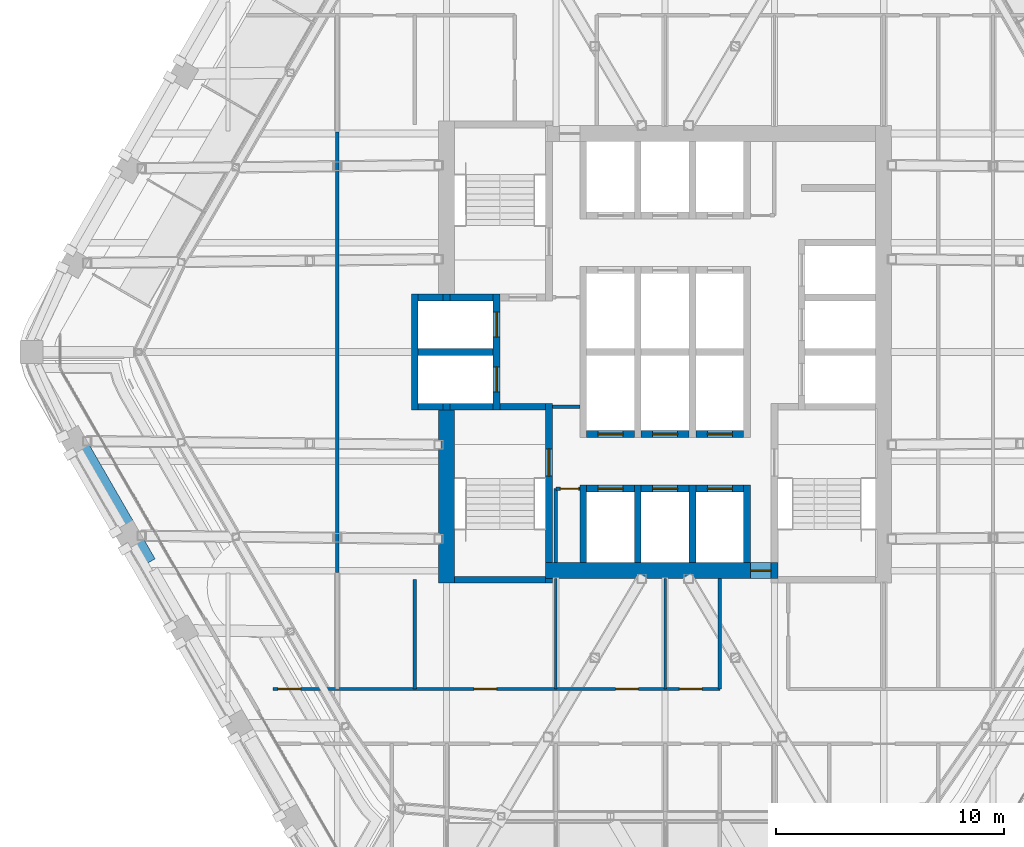
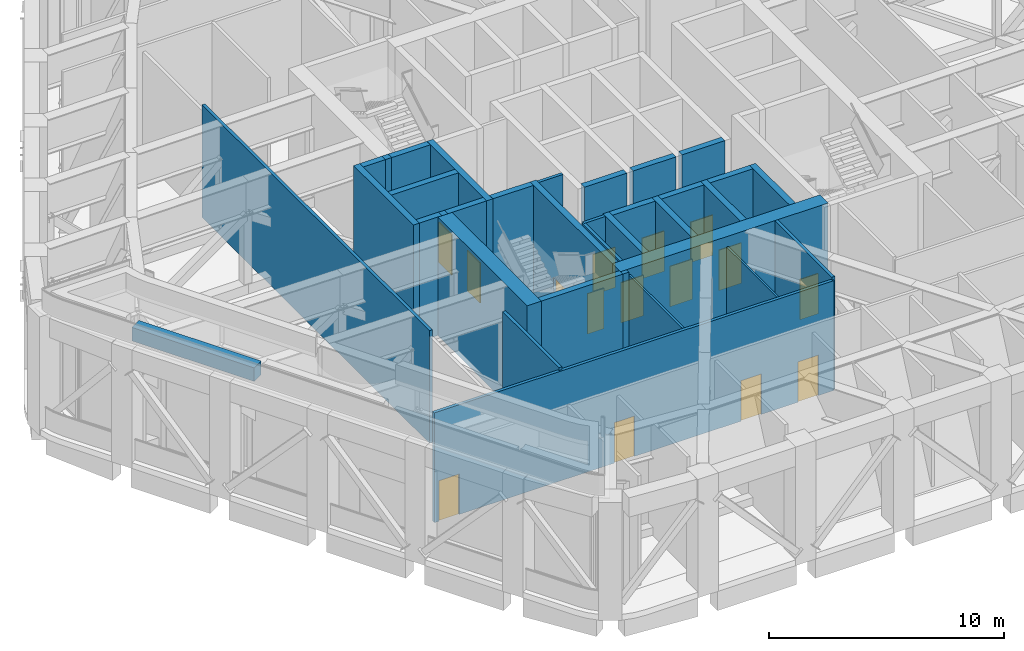
# One storey, part 14 of 24: 35 walls, 15 doors, 15 openings.
"""IFC4 building model written with IfcOpenShell, lengths in metres."""

from ifc_helpers import new_model, si_unit, direction, frame, frame_2d, origin, place, context, subcontext, project, spatial, rectangle, extrude, material, layer, layer_set, type_object, element, fill, save


model = new_model("IFC4")

# Units and contexts
model_context = context("Model", 3, precision=1e-05, world=origin(), true_north=direction((0.0, 1.0)))
body_context = subcontext(model_context, "Body", "Model", "MODEL_VIEW")
ifc_project = project(units=[si_unit("LENGTHUNIT", "METRE"), si_unit("AREAUNIT", "SQUARE_METRE"), si_unit("VOLUMEUNIT", "CUBIC_METRE"), si_unit("PLANEANGLEUNIT", "RADIAN"), si_unit("MASSUNIT", "GRAM", prefix="KILO")], contexts=[model_context])

# Site, building, storey
site_placement = place(None, origin())
site = spatial("IfcSite", under=ifc_project, at=site_placement, CompositionType="ELEMENT")
building_placement = place(site_placement, origin())
building = spatial("IfcBuilding", under=site, at=building_placement, Name="Kolab Exchange Tower", CompositionType="ELEMENT")
storey_placement = place(building_placement, frame((0.0, 0.0, 216.800048828125)))
storey = spatial("IfcBuildingStorey", under=building, at=storey_placement, Name="L47", CompositionType="ELEMENT", Elevation=216.800048828125)

# Wall, opening, door
ifc_material_1 = material(Name="Concrete C60/75", Category="concrete")
ifc_layer_1 = layer(ifc_material_1, 0.699951171875)
ifc_layer_set_1 = layer_set([ifc_layer_1], Name="Concrete C60/75")
wall_type_1 = type_object("IfcWallType", Name="CORE WALL 700 C60/75", PredefinedType="SHEAR", material=ifc_layer_set_1)
wall_1_placement = place(storey_placement, frame((-5.25, -9.60009765625, -0.300048828125), z_axis=(0.0, 0.0, 1.0), x_axis=(1.0, 0.0, 0.0)))
wall_1 = element("IfcWall", 1, at=wall_1_placement, inside=storey, type_object=wall_type_1, Name="wall/L47/core/002", PredefinedType="SHEAR", context=body_context, shape_type="SweptSolid", body=[
    extrude(rectangle(XDim=10.199951171875, YDim=0.699951171875, at=frame_2d((5.10009765625, 0.0))), origin(), (0.0, 0.0, 1.0), 6.14990234375),
])
opening_1_placement = place(wall_1_placement, frame((9.0, 0.0, 0.300048828125)))
opening_1 = element("IfcOpeningElement", 2, at=opening_1_placement, cuts=wall_1, Name="Opening D6-294", PredefinedType="OPENING", context=body_context, shape_type="SweptSolid", body=[
    extrude(rectangle(XDim=0.89990234375, YDim=2.10009765625, at=frame_2d((0.449951171875, 1.050048828125))), frame((0.0, 0.35986328125, 0.0), z_axis=(0.0, -1.0, 0.0), x_axis=(1.0, 0.0, 0.0)), (0.0, 0.0, 1.0), 0.719970703125),
])
ifc_material_2 = material(Name="Steel S235", Category="steel")
door_type_1 = type_object("IfcDoorType", Name="CORE DOOR 900 EI 120", OperationType="SINGLE_SWING_LEFT", PredefinedType="DOOR", material=ifc_material_2)
door_1_placement = place(opening_1_placement, origin())
door_1 = element("IfcDoor", 3, at=door_1_placement, inside=storey, type_object=door_type_1, Name="Core lobby door", OperationType="SINGLE_SWING_LEFT", OverallHeight=2.10009765625, OverallWidth=0.89990234375, PredefinedType="DOOR", context=body_context, shape_type="SweptSolid", body=[
    extrude(rectangle(XDim=0.89990234375, YDim=2.10009765625, at=frame_2d((0.449951171875, 1.050048828125))), frame((0.0, 0.02490234375, 0.0), z_axis=(0.0, -1.0, 0.0), x_axis=(1.0, 0.0, 0.0)), (0.0, 0.0, 1.0), 0.050048828125),
])
fill(opening_1, door_1)

# Wall
wall_2_placement = place(storey_placement, frame((-9.60009765625, -10.14990234375, -0.300048828125), z_axis=(0.0, 0.0, 1.0), x_axis=(0.0, 1.0, 0.0)))
element("IfcWall", 4, at=wall_2_placement, inside=storey, type_object=wall_type_1, Name="wall/L47/core/034", PredefinedType="SHEAR", context=body_context, shape_type="SweptSolid", body=[
    extrude(rectangle(XDim=7.599853515625, YDim=0.699951171875, at=frame_2d((3.7998046875, 0.0))), origin(), (0.0, 0.0, 1.0), 6.14990234375),
])

# Wall, opening, door
ifc_material_3 = material(Name="Concrete C50/60", Category="concrete")
ifc_layer_2 = layer(ifc_material_3, 0.300048828125)
ifc_layer_set_2 = layer_set([ifc_layer_2], Name="Concrete C50/60")
wall_type_2 = type_object("IfcWallType", Name="LIFT SHAFT WALL 300 C50/60", PredefinedType="STANDARD", material=ifc_layer_set_2)
wall_3_placement = place(storey_placement, frame((-3.449951171875, -6.0, -0.300048828125), z_axis=(0.0, 0.0, 1.0), x_axis=(1.0, 0.0, 0.0)))
wall_3 = element("IfcWall", 5, at=wall_3_placement, inside=storey, type_object=wall_type_2, Name="wall/L47/core/003", PredefinedType="STANDARD", context=body_context, shape_type="SweptSolid", body=[
    extrude(rectangle(XDim=2.099853515625, YDim=0.300048828125, at=frame_2d((1.0498046875, 0.0))), origin(), (0.0, 0.0, 1.0), 6.14990234375),
])
opening_2_placement = place(wall_3_placement, frame((0.5, 0.0, 0.300048828125)))
opening_2 = element("IfcOpeningElement", 6, at=opening_2_placement, cuts=wall_3, Name="Opening LD1-134", PredefinedType="OPENING", context=body_context, shape_type="SweptSolid", body=[
    extrude(rectangle(XDim=1.10009765625, YDim=2.10009765625, at=frame_2d((0.550048828125, 1.050048828125))), frame((0.0, 0.16015625, 0.0), z_axis=(0.0, -1.0, 0.0), x_axis=(1.0, 0.0, 0.0)), (0.0, 0.0, 1.0), 0.320068359375),
])
ifc_material_4 = material(Name="Stainless steel 316", Category="steel")
door_type_2 = type_object("IfcDoorType", Name="LANDING DOOR 1100 PASSENGER", OperationType="DOUBLE_DOOR_SLIDING", PredefinedType="DOOR", material=ifc_material_4)
door_2_placement = place(opening_2_placement, origin())
door_2 = element("IfcDoor", 7, at=door_2_placement, inside=storey, type_object=door_type_2, Name="Landing door HR10", OperationType="DOUBLE_DOOR_SLIDING", OverallHeight=2.10009765625, OverallWidth=1.10009765625, PredefinedType="DOOR", context=body_context, shape_type="SweptSolid", body=[
    extrude(rectangle(XDim=1.10009765625, YDim=2.10009765625, at=frame_2d((0.550048828125, 1.050048828125))), frame((0.0, 0.02490234375, 0.0), z_axis=(0.0, -1.0, 0.0), x_axis=(1.0, 0.0, 0.0)), (0.0, 0.0, 1.0), 0.050048828125),
])
fill(opening_2, door_2)

wall_4_placement = place(storey_placement, frame((-1.050048828125, -6.0, -0.300048828125), z_axis=(0.0, 0.0, 1.0), x_axis=(1.0, 0.0, 0.0)))
wall_4 = element("IfcWall", 8, at=wall_4_placement, inside=storey, type_object=wall_type_2, Name="wall/L47/core/004", PredefinedType="STANDARD", context=body_context, shape_type="SweptSolid", body=[
    extrude(rectangle(XDim=2.10009765625, YDim=0.300048828125, at=frame_2d((1.050048828125, 0.0))), origin(), (0.0, 0.0, 1.0), 6.14990234375),
])
opening_3_placement = place(wall_4_placement, frame((0.5, 0.0, 0.300048828125)))
opening_3 = element("IfcOpeningElement", 9, at=opening_3_placement, cuts=wall_4, Name="Opening LD1-135", PredefinedType="OPENING", context=body_context, shape_type="SweptSolid", body=[
    extrude(rectangle(XDim=1.10009765625, YDim=2.10009765625, at=frame_2d((0.550048828125, 1.050048828125))), frame((0.0, 0.16015625, 0.0), z_axis=(0.0, -1.0, 0.0), x_axis=(1.0, 0.0, 0.0)), (0.0, 0.0, 1.0), 0.320068359375),
])
door_3_placement = place(opening_3_placement, origin())
door_3 = element("IfcDoor", 10, at=door_3_placement, inside=storey, type_object=door_type_2, Name="Landing door HR11", OperationType="DOUBLE_DOOR_SLIDING", OverallHeight=2.10009765625, OverallWidth=1.10009765625, PredefinedType="DOOR", context=body_context, shape_type="SweptSolid", body=[
    extrude(rectangle(XDim=1.10009765625, YDim=2.10009765625, at=frame_2d((0.550048828125, 1.050048828125))), frame((0.0, 0.02490234375, 0.0), z_axis=(0.0, -1.0, 0.0), x_axis=(1.0, 0.0, 0.0)), (0.0, 0.0, 1.0), 0.050048828125),
])
fill(opening_3, door_3)

wall_5_placement = place(storey_placement, frame((1.35009765625, -6.0, -0.300048828125), z_axis=(0.0, 0.0, 1.0), x_axis=(1.0, 0.0, 0.0)))
wall_5 = element("IfcWall", 11, at=wall_5_placement, inside=storey, type_object=wall_type_2, Name="wall/L47/core/005", PredefinedType="STANDARD", context=body_context, shape_type="SweptSolid", body=[
    extrude(rectangle(XDim=2.099853515625, YDim=0.300048828125, at=frame_2d((1.0498046875, 0.0))), origin(), (0.0, 0.0, 1.0), 6.14990234375),
])
opening_4_placement = place(wall_5_placement, frame((0.5, 0.0, 0.300048828125)))
opening_4 = element("IfcOpeningElement", 12, at=opening_4_placement, cuts=wall_5, Name="Opening LD1-136", PredefinedType="OPENING", context=body_context, shape_type="SweptSolid", body=[
    extrude(rectangle(XDim=1.10009765625, YDim=2.10009765625, at=frame_2d((0.550048828125, 1.050048828125))), frame((0.0, 0.16015625, 0.0), z_axis=(0.0, -1.0, 0.0), x_axis=(1.0, 0.0, 0.0)), (0.0, 0.0, 1.0), 0.320068359375),
])
door_4_placement = place(opening_4_placement, origin())
door_4 = element("IfcDoor", 13, at=door_4_placement, inside=storey, type_object=door_type_2, Name="Landing door HR12", OperationType="DOUBLE_DOOR_SLIDING", OverallHeight=2.10009765625, OverallWidth=1.10009765625, PredefinedType="DOOR", context=body_context, shape_type="SweptSolid", body=[
    extrude(rectangle(XDim=1.10009765625, YDim=2.10009765625, at=frame_2d((0.550048828125, 1.050048828125))), frame((0.0, 0.02490234375, 0.0), z_axis=(0.0, -1.0, 0.0), x_axis=(1.0, 0.0, 0.0)), (0.0, 0.0, 1.0), 0.050048828125),
])
fill(opening_4, door_4)

wall_6_placement = place(storey_placement, frame((-3.449951171875, -3.60009765625, -0.300048828125), z_axis=(0.0, 0.0, 1.0), x_axis=(1.0, 0.0, 0.0)))
wall_6 = element("IfcWall", 14, at=wall_6_placement, inside=storey, type_object=wall_type_2, Name="wall/L47/core/006", PredefinedType="STANDARD", context=body_context, shape_type="SweptSolid", body=[
    extrude(rectangle(XDim=2.099853515625, YDim=0.300048828125, at=frame_2d((1.0498046875, 0.0))), origin(), (0.0, 0.0, 1.0), 6.14990234375),
])
opening_5_placement = place(wall_6_placement, frame((0.5, 0.0, 0.300048828125)))
opening_5 = element("IfcOpeningElement", 15, at=opening_5_placement, cuts=wall_6, Name="Opening LD1-142", PredefinedType="OPENING", context=body_context, shape_type="SweptSolid", body=[
    extrude(rectangle(XDim=1.10009765625, YDim=2.10009765625, at=frame_2d((0.550048828125, 1.050048828125))), frame((0.0, 0.16015625, 0.0), z_axis=(0.0, -1.0, 0.0), x_axis=(1.0, 0.0, 0.0)), (0.0, 0.0, 1.0), 0.320068359375),
])
door_5_placement = place(opening_5_placement, origin())
door_5 = element("IfcDoor", 16, at=door_5_placement, inside=storey, type_object=door_type_2, Name="Landing door HR7", OperationType="DOUBLE_DOOR_SLIDING", OverallHeight=2.10009765625, OverallWidth=1.10009765625, PredefinedType="DOOR", context=body_context, shape_type="SweptSolid", body=[
    extrude(rectangle(XDim=1.10009765625, YDim=2.10009765625, at=frame_2d((0.550048828125, 1.050048828125))), frame((0.0, 0.02490234375, 0.0), z_axis=(0.0, -1.0, 0.0), x_axis=(1.0, 0.0, 0.0)), (0.0, 0.0, 1.0), 0.050048828125),
])
fill(opening_5, door_5)

wall_7_placement = place(storey_placement, frame((-1.050048828125, -3.60009765625, -0.300048828125), z_axis=(0.0, 0.0, 1.0), x_axis=(1.0, 0.0, 0.0)))
wall_7 = element("IfcWall", 17, at=wall_7_placement, inside=storey, type_object=wall_type_2, Name="wall/L47/core/007", PredefinedType="STANDARD", context=body_context, shape_type="SweptSolid", body=[
    extrude(rectangle(XDim=2.10009765625, YDim=0.300048828125, at=frame_2d((1.050048828125, 0.0))), origin(), (0.0, 0.0, 1.0), 6.14990234375),
])
opening_6_placement = place(wall_7_placement, frame((0.5, 0.0, 0.300048828125)))
opening_6 = element("IfcOpeningElement", 18, at=opening_6_placement, cuts=wall_7, Name="Opening LD1-143", PredefinedType="OPENING", context=body_context, shape_type="SweptSolid", body=[
    extrude(rectangle(XDim=1.10009765625, YDim=2.10009765625, at=frame_2d((0.550048828125, 1.050048828125))), frame((0.0, 0.16015625, 0.0), z_axis=(0.0, -1.0, 0.0), x_axis=(1.0, 0.0, 0.0)), (0.0, 0.0, 1.0), 0.320068359375),
])
door_6_placement = place(opening_6_placement, origin())
door_6 = element("IfcDoor", 19, at=door_6_placement, inside=storey, type_object=door_type_2, Name="Landing door HR8", OperationType="DOUBLE_DOOR_SLIDING", OverallHeight=2.10009765625, OverallWidth=1.10009765625, PredefinedType="DOOR", context=body_context, shape_type="SweptSolid", body=[
    extrude(rectangle(XDim=1.10009765625, YDim=2.10009765625, at=frame_2d((0.550048828125, 1.050048828125))), frame((0.0, 0.02490234375, 0.0), z_axis=(0.0, -1.0, 0.0), x_axis=(1.0, 0.0, 0.0)), (0.0, 0.0, 1.0), 0.050048828125),
])
fill(opening_6, door_6)

wall_8_placement = place(storey_placement, frame((1.35009765625, -3.60009765625, -0.300048828125), z_axis=(0.0, 0.0, 1.0), x_axis=(1.0, 0.0, 0.0)))
wall_8 = element("IfcWall", 20, at=wall_8_placement, inside=storey, type_object=wall_type_2, Name="wall/L47/core/008", PredefinedType="STANDARD", context=body_context, shape_type="SweptSolid", body=[
    extrude(rectangle(XDim=2.099853515625, YDim=0.300048828125, at=frame_2d((1.0498046875, 0.0))), origin(), (0.0, 0.0, 1.0), 6.14990234375),
])
opening_7_placement = place(wall_8_placement, frame((0.5, 0.0, 0.300048828125)))
opening_7 = element("IfcOpeningElement", 21, at=opening_7_placement, cuts=wall_8, Name="Opening LD1-144", PredefinedType="OPENING", context=body_context, shape_type="SweptSolid", body=[
    extrude(rectangle(XDim=1.10009765625, YDim=2.10009765625, at=frame_2d((0.550048828125, 1.050048828125))), frame((0.0, 0.16015625, 0.0), z_axis=(0.0, -1.0, 0.0), x_axis=(1.0, 0.0, 0.0)), (0.0, 0.0, 1.0), 0.320068359375),
])
door_7_placement = place(opening_7_placement, origin())
door_7 = element("IfcDoor", 22, at=door_7_placement, inside=storey, type_object=door_type_2, Name="Landing door HR9", OperationType="DOUBLE_DOOR_SLIDING", OverallHeight=2.10009765625, OverallWidth=1.10009765625, PredefinedType="DOOR", context=body_context, shape_type="SweptSolid", body=[
    extrude(rectangle(XDim=1.10009765625, YDim=2.10009765625, at=frame_2d((0.550048828125, 1.050048828125))), frame((0.0, 0.02490234375, 0.0), z_axis=(0.0, -1.0, 0.0), x_axis=(1.0, 0.0, 0.0)), (0.0, 0.0, 1.0), 0.050048828125),
])
fill(opening_7, door_7)

# Walls
wall_9_placement = place(storey_placement, frame((-10.85009765625, -2.39990234375, -0.300048828125), z_axis=(0.0, 0.0, 1.0), x_axis=(1.0, 0.0, 0.0)))
element("IfcWall", 23, at=wall_9_placement, inside=storey, type_object=wall_type_2, Name="wall/L47/core/009", PredefinedType="STANDARD", context=body_context, shape_type="SweptSolid", body=[
    extrude(rectangle(XDim=1.10009765625, YDim=0.300048828125, at=frame_2d((0.550048828125, 0.0))), origin(), (0.0, 0.0, 1.0), 6.14990234375),
])
wall_10_placement = place(storey_placement, frame((-10.85009765625, 0.0, -0.300048828125), z_axis=(0.0, 0.0, 1.0), x_axis=(1.0, 0.0, 0.0)))
element("IfcWall", 24, at=wall_10_placement, inside=storey, type_object=wall_type_2, Name="wall/L47/core/014", PredefinedType="STANDARD", context=body_context, shape_type="SweptSolid", body=[
    extrude(rectangle(XDim=3.300048828125, YDim=0.300048828125, at=frame_2d((1.64990234375, 0.0))), origin(), (0.0, 0.0, 1.0), 6.14990234375),
])
wall_11_placement = place(storey_placement, frame((-10.85009765625, 2.39990234375, -0.300048828125), z_axis=(0.0, 0.0, 1.0), x_axis=(1.0, 0.0, 0.0)))
element("IfcWall", 25, at=wall_11_placement, inside=storey, type_object=wall_type_2, Name="wall/L47/core/019", PredefinedType="STANDARD", context=body_context, shape_type="SweptSolid", body=[
    extrude(rectangle(XDim=1.10009765625, YDim=0.300048828125, at=frame_2d((0.550048828125, 0.0))), origin(), (0.0, 0.0, 1.0), 6.14990234375),
])
wall_12_placement = place(storey_placement, frame((-11.0, -2.550048828125, -0.300048828125), z_axis=(0.0, 0.0, 1.0), x_axis=(0.0, 1.0, 0.0)))
element("IfcWall", 26, at=wall_12_placement, inside=storey, type_object=wall_type_2, Name="wall/L47/core/033", PredefinedType="STANDARD", context=body_context, shape_type="SweptSolid", body=[
    extrude(rectangle(XDim=5.10009765625, YDim=0.300048828125, at=frame_2d((2.550048828125, 0.0))), origin(), (0.0, 0.0, 1.0), 6.14990234375),
])

# Wall, openings, doors
wall_13_placement = place(storey_placement, frame((-7.39990234375, -2.550048828125, -0.300048828125), z_axis=(0.0, 0.0, 1.0), x_axis=(0.0, 1.0, 0.0)))
wall_13 = element("IfcWall", 27, at=wall_13_placement, inside=storey, type_object=wall_type_2, Name="wall/L47/core/038", PredefinedType="STANDARD", context=body_context, shape_type="SweptSolid", body=[
    extrude(rectangle(XDim=5.10009765625, YDim=0.300048828125, at=frame_2d((2.550048828125, 0.0))), origin(), (0.0, 0.0, 1.0), 6.14990234375),
])
opening_8_placement = place(wall_13_placement, frame((0.800048828125, 0.0, 0.300048828125)))
opening_8 = element("IfcOpeningElement", 28, at=opening_8_placement, cuts=wall_13, Name="Opening LD2-021", PredefinedType="OPENING", context=body_context, shape_type="SweptSolid", body=[
    extrude(rectangle(XDim=1.10009765625, YDim=2.10009765625, at=frame_2d((0.550048828125, 1.050048828125))), frame((0.0, 0.16015625, 0.0), z_axis=(0.0, -1.0, 0.0), x_axis=(1.0, 0.0, 0.0)), (0.0, 0.0, 1.0), 0.320068359375),
])
opening_9_placement = place(wall_13_placement, frame((3.199951171875, 0.0, 0.300048828125)))
opening_9 = element("IfcOpeningElement", 29, at=opening_9_placement, cuts=wall_13, Name="Opening LD2-022", PredefinedType="OPENING", context=body_context, shape_type="SweptSolid", body=[
    extrude(rectangle(XDim=1.10009765625, YDim=2.10009765625, at=frame_2d((0.550048828125, 1.050048828125))), frame((0.0, 0.16015625, 0.0), z_axis=(0.0, -1.0, 0.0), x_axis=(1.0, 0.0, 0.0)), (0.0, 0.0, 1.0), 0.320068359375),
])
door_type_3 = type_object("IfcDoorType", Name="LANDING DOOR 1100 FIREFIGHTING", OperationType="DOUBLE_DOOR_SLIDING", PredefinedType="DOOR", material=ifc_material_4)
door_8_placement = place(opening_8_placement, origin())
door_8 = element("IfcDoor", 30, at=door_8_placement, inside=storey, type_object=door_type_3, Name="Landing door FF1", OperationType="DOUBLE_DOOR_SLIDING", OverallHeight=2.10009765625, OverallWidth=1.10009765625, PredefinedType="DOOR", context=body_context, shape_type="SweptSolid", body=[
    extrude(rectangle(XDim=1.10009765625, YDim=2.10009765625, at=frame_2d((0.550048828125, 1.050048828125))), frame((0.0, 0.02490234375, 0.0), z_axis=(0.0, -1.0, 0.0), x_axis=(1.0, 0.0, 0.0)), (0.0, 0.0, 1.0), 0.050048828125),
])
fill(opening_8, door_8)
door_9_placement = place(opening_9_placement, origin())
door_9 = element("IfcDoor", 31, at=door_9_placement, inside=storey, type_object=door_type_3, Name="Landing door FF2", OperationType="DOUBLE_DOOR_SLIDING", OverallHeight=2.10009765625, OverallWidth=1.10009765625, PredefinedType="DOOR", context=body_context, shape_type="SweptSolid", body=[
    extrude(rectangle(XDim=1.10009765625, YDim=2.10009765625, at=frame_2d((0.550048828125, 1.050048828125))), frame((0.0, 0.02490234375, 0.0), z_axis=(0.0, -1.0, 0.0), x_axis=(1.0, 0.0, 0.0)), (0.0, 0.0, 1.0), 0.050048828125),
])
fill(opening_9, door_9)

# Walls
for number, where, z_axis, x_axis, name in (
    (32, (-3.60009765625, -9.25, -0.300048828125), (0.0, 0.0, 1.0), (0.0, 1.0, 0.0), "wall/L47/core/043"),
    (33, (-1.199951171875, -9.25, -0.300048828125), (0.0, 0.0, 1.0), (0.0, 1.0, 0.0), "wall/L47/core/046"),
    (34, (1.199951171875, -9.25, -0.300048828125), (0.0, 0.0, 1.0), (0.0, 1.0, 0.0), "wall/L47/core/049"),
    (35, (3.60009765625, -9.25, -0.300048828125), (0.0, 0.0, 1.0), (0.0, 1.0, 0.0), "wall/L47/core/052"),
):
    element("IfcWall", number, at=place(storey_placement, frame(where, z_axis=z_axis, x_axis=x_axis)), inside=storey, type_object=wall_type_2, Name=name, PredefinedType="STANDARD", context=body_context, shape_type="SweptSolid", body=[
        extrude(rectangle(XDim=3.39990234375, YDim=0.300048828125, at=frame_2d((1.699951171875, 0.0))), origin(), (0.0, 0.0, 1.0), 6.14990234375),
    ])
ifc_material_5 = material(Name="Gypsum board", Category="gypsum")
ifc_layer_3 = layer(ifc_material_5, 0.10009765625)
ifc_layer_set_3 = layer_set([ifc_layer_3], Name="Gypsum board")
wall_type_3 = type_object("IfcWallType", Name="PARTITION 100", PredefinedType="PARTITIONING", material=ifc_layer_set_3)
wall_14_placement = place(storey_placement, frame((0.0, -14.800048828125, 0.0), z_axis=(0.0, 0.0, 1.0), x_axis=(0.0, 1.0, 0.0)))
element("IfcWall", 36, at=wall_14_placement, inside=storey, type_object=wall_type_3, Name="Partition 015", PredefinedType="PARTITIONING", context=body_context, shape_type="SweptSolid", body=[
    extrude(rectangle(XDim=4.85009765625, YDim=0.10009765625, at=frame_2d((2.425048828125, 0.0))), origin(), (0.0, 0.0, 1.0), 5.31689453125),
])
wall_15_placement = place(storey_placement, frame((-4.800048828125, -14.800048828125, 0.0), z_axis=(0.0, 0.0, 1.0), x_axis=(0.0, 1.0, 0.0)))
element("IfcWall", 37, at=wall_15_placement, inside=storey, type_object=wall_type_3, Name="Partition 020", PredefinedType="PARTITIONING", context=body_context, shape_type="SweptSolid", body=[
    extrude(rectangle(XDim=4.85009765625, YDim=0.10009765625, at=frame_2d((2.425048828125, 0.0))), origin(), (0.0, 0.0, 1.0), 5.5400390625),
])
ifc_layer_4 = layer(ifc_material_5, 0.14990234375)
ifc_layer_set_4 = layer_set([ifc_layer_4], Name="Gypsum board")
wall_type_4 = type_object("IfcWallType", Name="PARTITION 150 FIRE-RATED", PredefinedType="PARTITIONING", material=ifc_layer_set_4)
wall_16_placement = place(storey_placement, frame((2.39990234375, -14.800048828125, 0.0), z_axis=(0.0, 0.0, 1.0), x_axis=(0.0, 1.0, 0.0)))
element("IfcWall", 38, at=wall_16_placement, inside=storey, type_object=wall_type_4, Name="Partition 014", PredefinedType="PARTITIONING", context=body_context, shape_type="SweptSolid", body=[
    extrude(rectangle(XDim=4.85009765625, YDim=0.14990234375, at=frame_2d((2.425048828125, 0.0))), origin(), (0.0, 0.0, 1.0), 5.849853515625),
])
wall_17_placement = place(storey_placement, frame((-4.800048828125, -9.25, 0.0), z_axis=(0.0, 0.0, 1.0), x_axis=(0.0, 1.0, 0.0)))
element("IfcWall", 39, at=wall_17_placement, inside=storey, type_object=wall_type_4, Name="Partition 022", PredefinedType="PARTITIONING", context=body_context, shape_type="SweptSolid", body=[
    extrude(rectangle(XDim=3.25, YDim=0.14990234375, at=frame_2d((1.625, 0.0))), origin(), (0.0, 0.0, 1.0), 5.849853515625),
])
wall_18_placement = place(storey_placement, frame((-11.0, -14.800048828125, 0.0), z_axis=(0.0, 0.0, 1.0), x_axis=(0.0, 1.0, 0.0)))
element("IfcWall", 40, at=wall_18_placement, inside=storey, type_object=wall_type_4, Name="Partition 028", PredefinedType="PARTITIONING", context=body_context, shape_type="SweptSolid", body=[
    extrude(rectangle(XDim=4.800048828125, YDim=0.14990234375, at=frame_2d((2.39990234375, 0.0))), origin(), (0.0, 0.0, 1.0), 5.849853515625),
])
wall_19_placement = place(storey_placement, frame((-14.39990234375, -9.674072265625, 0.0), z_axis=(0.0, 0.0, 1.0), x_axis=(0.0, 1.0, 0.0)))
element("IfcWall", 41, at=wall_19_placement, inside=storey, type_object=wall_type_4, Name="Partition 032", PredefinedType="PARTITIONING", context=body_context, shape_type="SweptSolid", body=[
    extrude(rectangle(XDim=19.34814453125, YDim=0.14990234375, at=frame_2d((9.674072265625, 0.0))), origin(), (0.0, 0.0, 1.0), 5.849853515625),
])

# Wall, openings, doors
wall_20_placement = place(storey_placement, frame((-17.234375, -14.800048828125, 0.0), z_axis=(0.0, 0.0, 1.0), x_axis=(1.0, 0.0, 0.0)))
wall_20 = element("IfcWall", 42, at=wall_20_placement, inside=storey, type_object=wall_type_4, Name="Partition 034", PredefinedType="PARTITIONING", context=body_context, shape_type="SweptSolid", body=[
    extrude(rectangle(XDim=19.63427734375, YDim=0.14990234375, at=frame_2d((9.817138671875, 0.0))), origin(), (0.0, 0.0, 1.0), 5.699951171875),
])
opening_10_placement = place(wall_20_placement, frame((8.83447265625, 0.0, 0.0)))
opening_10 = element("IfcOpeningElement", 43, at=opening_10_placement, cuts=wall_20, Name="Opening D1-607", PredefinedType="OPENING", context=body_context, shape_type="SweptSolid", body=[
    extrude(rectangle(XDim=1.0, YDim=2.10009765625, at=frame_2d((0.5, 1.050048828125))), frame((0.0, 0.0849609375, 0.0), z_axis=(0.0, -1.0, 0.0), x_axis=(1.0, 0.0, 0.0)), (0.0, 0.0, 1.0), 0.169921875),
])
opening_11_placement = place(wall_20_placement, frame((15.059326171875, 0.0, 0.0)))
opening_11 = element("IfcOpeningElement", 44, at=opening_11_placement, cuts=wall_20, Name="Opening D1-608", PredefinedType="OPENING", context=body_context, shape_type="SweptSolid", body=[
    extrude(rectangle(XDim=1.0, YDim=2.10009765625, at=frame_2d((0.5, 1.050048828125))), frame((0.0, 0.0849609375, 0.0), z_axis=(0.0, -1.0, 0.0), x_axis=(1.0, 0.0, 0.0)), (0.0, 0.0, 1.0), 0.169921875),
])
opening_12_placement = place(wall_20_placement, frame((17.859375, 0.0, 0.0)))
opening_12 = element("IfcOpeningElement", 45, at=opening_12_placement, cuts=wall_20, Name="Opening D1-609", PredefinedType="OPENING", context=body_context, shape_type="SweptSolid", body=[
    extrude(rectangle(XDim=1.0, YDim=2.10009765625, at=frame_2d((0.5, 1.050048828125))), frame((0.0, 0.0849609375, 0.0), z_axis=(0.0, -1.0, 0.0), x_axis=(1.0, 0.0, 0.0)), (0.0, 0.0, 1.0), 0.169921875),
])
opening_13_placement = place(wall_20_placement, frame((0.222412109375, 0.0, 0.0)))
opening_13 = element("IfcOpeningElement", 46, at=opening_13_placement, cuts=wall_20, Name="Opening D1-631", PredefinedType="OPENING", context=body_context, shape_type="SweptSolid", body=[
    extrude(rectangle(XDim=1.0, YDim=2.10009765625, at=frame_2d((0.5, 1.050048828125))), frame((0.0, 0.0849609375, 0.0), z_axis=(0.0, -1.0, 0.0), x_axis=(1.0, 0.0, 0.0)), (0.0, 0.0, 1.0), 0.169921875),
])
door_type_4 = type_object("IfcDoorType", Name="FLUSH DOOR 1000 FD60", OperationType="SINGLE_SWING_LEFT", PredefinedType="DOOR", material=ifc_material_2)
door_10_placement = place(opening_10_placement, origin())
door_10 = element("IfcDoor", 47, at=door_10_placement, inside=storey, type_object=door_type_4, Name="Door L47-036", OperationType="SINGLE_SWING_LEFT", OverallHeight=2.10009765625, OverallWidth=1.0, PredefinedType="DOOR", context=body_context, shape_type="SweptSolid", body=[
    extrude(rectangle(XDim=1.0, YDim=2.10009765625, at=frame_2d((0.5, 1.050048828125))), frame((0.0, 0.02490234375, 0.0), z_axis=(0.0, -1.0, 0.0), x_axis=(1.0, 0.0, 0.0)), (0.0, 0.0, 1.0), 0.050048828125),
])
fill(opening_10, door_10)
door_11_placement = place(opening_11_placement, origin())
door_11 = element("IfcDoor", 48, at=door_11_placement, inside=storey, type_object=door_type_4, Name="Door L47-037", OperationType="SINGLE_SWING_RIGHT", OverallHeight=2.10009765625, OverallWidth=1.0, PredefinedType="DOOR", context=body_context, shape_type="SweptSolid", body=[
    extrude(rectangle(XDim=1.0, YDim=2.10009765625, at=frame_2d((0.5, 1.050048828125))), frame((0.0, 0.02490234375, 0.0), z_axis=(0.0, -1.0, 0.0), x_axis=(1.0, 0.0, 0.0)), (0.0, 0.0, 1.0), 0.050048828125),
])
fill(opening_11, door_11)
door_12_placement = place(opening_12_placement, origin())
door_12 = element("IfcDoor", 49, at=door_12_placement, inside=storey, type_object=door_type_4, Name="Door L47-038", OperationType="SINGLE_SWING_LEFT", OverallHeight=2.10009765625, OverallWidth=1.0, PredefinedType="DOOR", context=body_context, shape_type="SweptSolid", body=[
    extrude(rectangle(XDim=1.0, YDim=2.10009765625, at=frame_2d((0.5, 1.050048828125))), frame((0.0, 0.02490234375, 0.0), z_axis=(0.0, -1.0, 0.0), x_axis=(1.0, 0.0, 0.0)), (0.0, 0.0, 1.0), 0.050048828125),
])
fill(opening_12, door_12)
door_13_placement = place(opening_13_placement, origin())
door_13 = element("IfcDoor", 50, at=door_13_placement, inside=storey, type_object=door_type_4, Name="Door L47-060", OperationType="SINGLE_SWING_RIGHT", OverallHeight=2.10009765625, OverallWidth=1.0, PredefinedType="DOOR", context=body_context, shape_type="SweptSolid", body=[
    extrude(rectangle(XDim=1.0, YDim=2.10009765625, at=frame_2d((0.5, 1.050048828125))), frame((0.0, 0.02490234375, 0.0), z_axis=(0.0, -1.0, 0.0), x_axis=(1.0, 0.0, 0.0)), (0.0, 0.0, 1.0), 0.050048828125),
])
fill(opening_13, door_13)

# Wall, opening, door
wall_21_placement = place(storey_placement, frame((-4.800048828125, -6.0, 0.0), z_axis=(0.0, 0.0, 1.0), x_axis=(1.0, 0.0, 0.0)))
wall_21 = element("IfcWall", 51, at=wall_21_placement, inside=storey, type_object=wall_type_4, Name="Partition 036", PredefinedType="PARTITIONING", context=body_context, shape_type="SweptSolid", body=[
    extrude(rectangle(XDim=1.050048828125, YDim=0.14990234375, at=frame_2d((0.52490234375, 0.0))), origin(), (0.0, 0.0, 1.0), 5.849853515625),
])
opening_14_placement = place(wall_21_placement, frame((0.199951171875, 0.0, 0.0)))
opening_14 = element("IfcOpeningElement", 52, at=opening_14_placement, cuts=wall_21, Name="Opening D7-027", PredefinedType="OPENING", context=body_context, shape_type="SweptSolid", body=[
    extrude(rectangle(XDim=0.800048828125, YDim=2.10009765625, at=frame_2d((0.39990234375, 1.050048828125))), frame((0.0, 0.0849609375, 0.0), z_axis=(0.0, -1.0, 0.0), x_axis=(1.0, 0.0, 0.0)), (0.0, 0.0, 1.0), 0.169921875),
])
door_type_5 = type_object("IfcDoorType", Name="FLUSH DOOR 800 FD60", OperationType="SINGLE_SWING_LEFT", PredefinedType="DOOR", material=ifc_material_2)
door_14_placement = place(opening_14_placement, frame((0.800048828125, 0.0, 0.0), z_axis=(0.0, 0.0, 1.0), x_axis=(-1.0, 0.0, 0.0)))
door_14 = element("IfcDoor", 53, at=door_14_placement, inside=storey, type_object=door_type_5, Name="Door L47-024", OperationType="SINGLE_SWING_RIGHT", OverallHeight=2.10009765625, OverallWidth=0.800048828125, PredefinedType="DOOR", context=body_context, shape_type="SweptSolid", body=[
    extrude(rectangle(XDim=0.800048828125, YDim=2.10009765625, at=frame_2d((0.39990234375, 1.050048828125))), frame((0.0, 0.02490234375, 0.0), z_axis=(0.0, -1.0, 0.0), x_axis=(1.0, 0.0, 0.0)), (0.0, 0.0, 1.0), 0.050048828125),
])
fill(opening_14, door_14)

# Walls
wall_22_placement = place(storey_placement, frame((-4.949951171875, -2.39990234375, 0.0), z_axis=(0.0, 0.0, 1.0), x_axis=(1.0, 0.0, 0.0)))
element("IfcWall", 54, at=wall_22_placement, inside=storey, type_object=wall_type_4, Name="Fire partition", PredefinedType="PARTITIONING", context=body_context, shape_type="SweptSolid", body=[
    extrude(rectangle(XDim=1.199951171875, YDim=0.14990234375, at=frame_2d((0.60009765625, 0.0))), origin(), (0.0, 0.0, 1.0), 5.849853515625),
])
ifc_material_6 = material(Name="Granite facing", Category="masonry")
ifc_layer_5 = layer(ifc_material_6, 0.0400390625)
ifc_material_7 = material(Name="Concrete C40/50 precast", Category="concrete")
ifc_layer_6 = layer(ifc_material_7, 0.56005859375)
ifc_layer_set_5 = layer_set([ifc_layer_5, ifc_layer_6], Name="Concrete C40/50 precast")
wall_type_5 = type_object("IfcWallType", Name="PLANTER BOX 600 X 700 SOIL DEPTH 550", PredefinedType="USERDEFINED", material=ifc_layer_set_5)
wall_23_placement = place(storey_placement, frame((-22.660888671875, -9.2333984375, 6.0), z_axis=(0.0, 0.0, 1.0), x_axis=(-0.500007758305, 0.866020924479, 0.0)))
element("IfcWall", 55, at=wall_23_placement, inside=storey, type_object=wall_type_5, Name="Planter", ObjectType="PLANTER", PredefinedType="USERDEFINED", context=body_context, shape_type="SweptSolid", body=[
    extrude(rectangle(XDim=6.0, YDim=0.60009765625, at=frame_2d((3.0, 0.0))), origin(), (0.0, 0.0, 1.0), 0.699951171875),
])
ifc_layer_7 = layer(ifc_material_3, 0.300048828125)
ifc_layer_set_6 = layer_set([ifc_layer_7], Name="Concrete C50/60")
wall_type_6 = type_object("IfcWallType", Name="STAIR ENCLOSURE WALL 300 C50/60", PredefinedType="STANDARD", material=ifc_layer_set_6)
wall_24_placement = place(storey_placement, frame((-9.25, -10.0, -0.300048828125), z_axis=(0.0, 0.0, 1.0), x_axis=(1.0, 0.0, 0.0)))
element("IfcWall", 56, at=wall_24_placement, inside=storey, type_object=wall_type_6, Name="wall/L47/core/000", PredefinedType="STANDARD", context=body_context, shape_type="SweptSolid", body=[
    extrude(rectangle(XDim=4.0, YDim=0.300048828125, at=frame_2d((2.0, 0.0))), origin(), (0.0, 0.0, 1.0), 6.14990234375),
])
wall_25_placement = place(storey_placement, frame((-9.449951171875, -2.39990234375, -0.300048828125), z_axis=(0.0, 0.0, 1.0), x_axis=(1.0, 0.0, 0.0)))
element("IfcWall", 57, at=wall_25_placement, inside=storey, type_object=wall_type_6, Name="wall/L47/core/010", PredefinedType="STANDARD", context=body_context, shape_type="SweptSolid", body=[
    extrude(rectangle(XDim=1.89990234375, YDim=0.300048828125, at=frame_2d((0.949951171875, 0.0))), origin(), (0.0, 0.0, 1.0), 6.14990234375),
])
wall_26_placement = place(storey_placement, frame((-7.25, -2.39990234375, -0.300048828125), z_axis=(0.0, 0.0, 1.0), x_axis=(1.0, 0.0, 0.0)))
element("IfcWall", 58, at=wall_26_placement, inside=storey, type_object=wall_type_6, Name="wall/L47/core/011", PredefinedType="STANDARD", context=body_context, shape_type="SweptSolid", body=[
    extrude(rectangle(XDim=2.0, YDim=0.300048828125, at=frame_2d((1.0, 0.0))), origin(), (0.0, 0.0, 1.0), 6.14990234375),
])
wall_27_placement = place(storey_placement, frame((-9.449951171875, 2.39990234375, -0.300048828125), z_axis=(0.0, 0.0, 1.0), x_axis=(1.0, 0.0, 0.0)))
element("IfcWall", 59, at=wall_27_placement, inside=storey, type_object=wall_type_6, Name="wall/L47/core/020", PredefinedType="STANDARD", context=body_context, shape_type="SweptSolid", body=[
    extrude(rectangle(XDim=1.89990234375, YDim=0.300048828125, at=frame_2d((0.949951171875, 0.0))), origin(), (0.0, 0.0, 1.0), 6.14990234375),
])
for number, where, z_axis, x_axis, name in (
    (60, (-9.60009765625, -2.550048828125, -0.300048828125), (0.0, 0.0, 1.0), (0.0, 1.0, 0.0), "wall/L47/core/035"),
    (61, (-9.60009765625, 2.25, -0.300048828125), (0.0, 0.0, 1.0), (0.0, 1.0, 0.0), "wall/L47/core/036"),
):
    element("IfcWall", number, at=place(storey_placement, frame(where, z_axis=z_axis, x_axis=x_axis)), inside=storey, type_object=wall_type_6, Name=name, PredefinedType="STANDARD", context=body_context, shape_type="SweptSolid", body=[
        extrude(rectangle(XDim=0.300048828125, YDim=0.300048828125, at=frame_2d((0.14990234375, 0.0))), origin(), (0.0, 0.0, 1.0), 6.14990234375),
    ])
wall_28_placement = place(storey_placement, frame((-5.10009765625, -10.14990234375, -0.300048828125), z_axis=(0.0, 0.0, 1.0), x_axis=(0.0, 1.0, 0.0)))
element("IfcWall", 62, at=wall_28_placement, inside=storey, type_object=wall_type_6, Name="wall/L47/core/039", PredefinedType="STANDARD", context=body_context, shape_type="SweptSolid", body=[
    extrude(rectangle(XDim=0.199951171875, YDim=0.300048828125, at=frame_2d((0.10009765625, 0.0))), origin(), (0.0, 0.0, 1.0), 6.14990234375),
])

# Wall, opening, door
wall_29_placement = place(storey_placement, frame((-5.10009765625, -9.25, -0.300048828125), z_axis=(0.0, 0.0, 1.0), x_axis=(0.0, 1.0, 0.0)))
wall_29 = element("IfcWall", 63, at=wall_29_placement, inside=storey, type_object=wall_type_6, Name="wall/L47/core/040", PredefinedType="STANDARD", context=body_context, shape_type="SweptSolid", body=[
    extrude(rectangle(XDim=7.0, YDim=0.300048828125, at=frame_2d((3.5, 0.0))), origin(), (0.0, 0.0, 1.0), 6.14990234375),
])
opening_15_placement = place(wall_29_placement, frame((3.800048828125, 0.0, 0.300048828125)))
opening_15 = element("IfcOpeningElement", 64, at=opening_15_placement, cuts=wall_29, Name="Opening D4-075", PredefinedType="OPENING", context=body_context, shape_type="SweptSolid", body=[
    extrude(rectangle(XDim=1.199951171875, YDim=2.10009765625, at=frame_2d((0.60009765625, 1.050048828125))), frame((0.0, 0.16015625, 0.0), z_axis=(0.0, -1.0, 0.0), x_axis=(1.0, 0.0, 0.0)), (0.0, 0.0, 1.0), 0.320068359375),
])
door_type_6 = type_object("IfcDoorType", Name="STAIR DOOR 1200 EI 120", OperationType="SINGLE_SWING_LEFT", PredefinedType="DOOR", material=ifc_material_2)
door_15_placement = place(opening_15_placement, origin())
door_15 = element("IfcDoor", 65, at=door_15_placement, inside=storey, type_object=door_type_6, Name="Stair 3 door", OperationType="SINGLE_SWING_RIGHT", OverallHeight=2.10009765625, OverallWidth=1.199951171875, PredefinedType="DOOR", context=body_context, shape_type="SweptSolid", body=[
    extrude(rectangle(XDim=1.199951171875, YDim=2.10009765625, at=frame_2d((0.60009765625, 1.050048828125))), frame((0.0, 0.02490234375, 0.0), z_axis=(0.0, -1.0, 0.0), x_axis=(1.0, 0.0, 0.0)), (0.0, 0.0, 1.0), 0.050048828125),
])
fill(opening_15, door_15)

save(model, "model.ifc")
